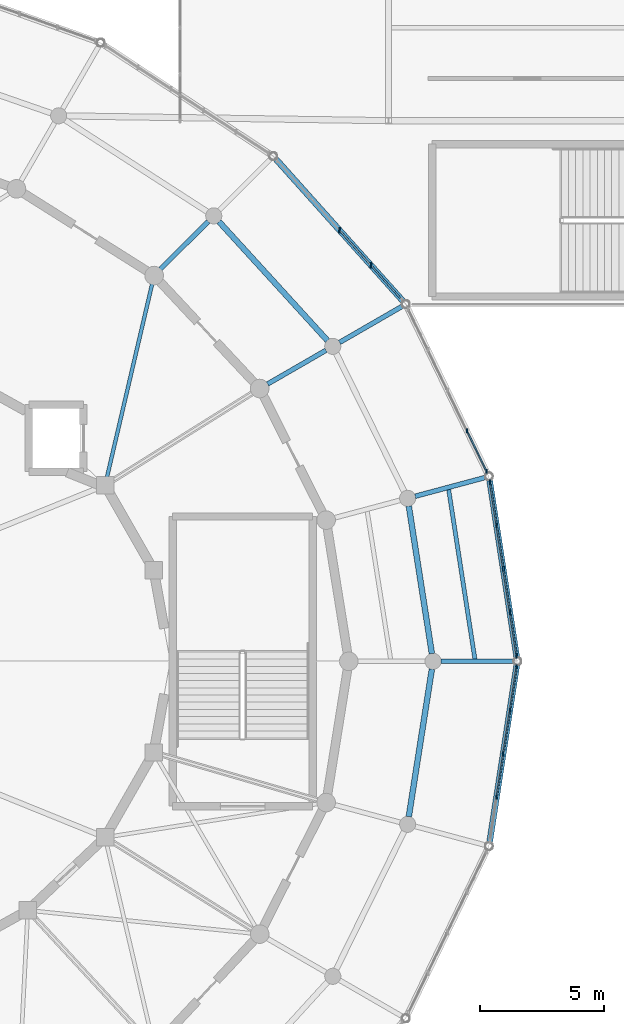
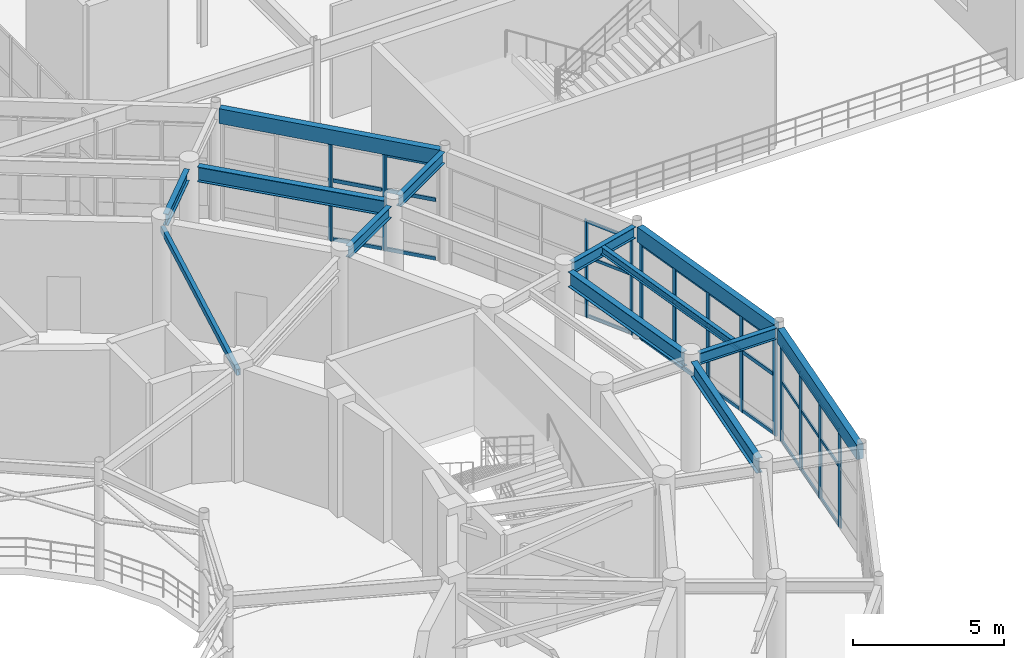
# One storey, part 74 of 144: 43 members, 12 beams, 4 elements without a shape of their own.
"""IFC4 building model written with IfcOpenShell, lengths in metres."""

from ifc_helpers import new_model, si_unit, direction, frame, origin, origin_2d, place, context, subcontext, project, spatial, rectangle, hollow_rectangle, i_section, extrude, material, material_profile, profile_set, type_object, element, aggregate, save


model = new_model("IFC4")

# Units and contexts
model_context = context("Model", 3, precision=1e-05, world=origin(), true_north=direction((0.0, 1.0)))
body_context = subcontext(model_context, "Body", "Model", "MODEL_VIEW")
ifc_project = project(units=[si_unit("LENGTHUNIT", "METRE"), si_unit("AREAUNIT", "SQUARE_METRE"), si_unit("VOLUMEUNIT", "CUBIC_METRE"), si_unit("PLANEANGLEUNIT", "RADIAN"), si_unit("MASSUNIT", "GRAM", prefix="KILO")], contexts=[model_context])

# Site, building, storey
site_placement = place(None, origin())
site = spatial("IfcSite", under=ifc_project, at=site_placement, CompositionType="ELEMENT")
building_placement = place(site_placement, origin())
building = spatial("IfcBuilding", under=site, at=building_placement, Name="Cinderbank Siding Concert Hall", CompositionType="ELEMENT")
storey_placement = place(building_placement, frame((0.0, 0.0, 5.39990234375)))
storey = spatial("IfcBuildingStorey", under=building, at=storey_placement, Name="L02", CompositionType="ELEMENT", Elevation=5.39990234375)

# Beams
ifc_material_1 = material(Name="Structural steel AS/NZS 3679.1 Grade 350 (340 MPa)", Category="steel")
ifc_material_profile_1 = material_profile(ifc_material_1, i_section(OverallWidth=0.19091796875, OverallDepth=0.46044921875, WebThickness=0.010009765625, FlangeThickness=0.01611328125, at=origin_2d()), Name="460UB82.1", Category="LoadBearing")
ifc_profile_set_1 = profile_set([ifc_material_profile_1], Name="Structural steel AS/NZS 3679.1 Grade 350 (340 MPa)")
beam_type_1 = type_object("IfcBeamType", Name="BM-UB460H 460UB82.1", PredefinedType="BEAM", material=ifc_profile_set_1)
beam_1_placement = place(storey_placement, frame((145.52734375, 55.18359375, 4.2919921875), z_axis=(0.866032896488, 0.499987022033, 0.0), x_axis=(-0.499987022033, 0.866032896488, 0.0)))
element("IfcBeam", 1, at=beam_1_placement, inside=storey, type_object=beam_type_1, Name="L02 Beam BM-UB460H #500", PredefinedType="BEAM", context=body_context, shape_type="SweptSolid", body=[
    extrude(i_section(OverallWidth=0.19091796875, OverallDepth=0.46044921875, WebThickness=0.010009765625, FlangeThickness=0.01611328125, at=origin_2d()), origin(), (0.0, 0.0, 1.0), 2.7158203125),
])
beam_2_placement = place(storey_placement, frame((141.2099609375, 59.81591796875, 4.2919921875), z_axis=(0.707151723938, 0.707061835578, 0.0), x_axis=(-0.707061835578, 0.707151723938, 0.0)))
element("IfcBeam", 2, at=beam_2_placement, inside=storey, type_object=beam_type_1, Name="L02 Beam BM-UB460H #501", PredefinedType="BEAM", context=body_context, shape_type="SweptSolid", body=[
    extrude(i_section(OverallWidth=0.19091796875, OverallDepth=0.46044921875, WebThickness=0.010009765625, FlangeThickness=0.01611328125, at=origin_2d()), origin(), (0.0, 0.0, 1.0), 2.716064453125),
])
for number, where, z_axis, x_axis, name in (
    (3, (152.51708984375, 44.0, 4.331787109375), (1.0, 0.0, 0.0), (0.0, 1.0, 0.0), "L02 Beam BM-UB460H #520"),
    (4, (151.477294921875, 50.656005859375, 4.331787109375), (0.965904885504, 0.258897184534, 0.0), (-0.258897184534, 0.965904885504, 0.0), "L02 Beam BM-UB460H #521"),
):
    element("IfcBeam", number, at=place(storey_placement, frame(where, z_axis=z_axis, x_axis=x_axis)), inside=storey, type_object=beam_type_1, Name=name, PredefinedType="BEAM", context=body_context, shape_type="SweptSolid", body=[
        extrude(i_section(OverallWidth=0.19091796875, OverallDepth=0.46044921875, WebThickness=0.010009765625, FlangeThickness=0.01611328125, at=origin_2d()), origin(), (0.0, 0.0, 1.0), 2.928955078125),
    ])
beam_3_placement = place(storey_placement, frame((148.428466796875, 56.8583984375, 4.331787109375), z_axis=(0.866013467834, 0.500020673103, 0.0), x_axis=(-0.500020673103, 0.866013467834, 0.0)))
element("IfcBeam", 5, at=beam_3_placement, inside=storey, type_object=beam_type_1, Name="L02 Beam BM-UB460H #523", PredefinedType="BEAM", context=body_context, shape_type="SweptSolid", body=[
    extrude(i_section(OverallWidth=0.19091796875, OverallDepth=0.46044921875, WebThickness=0.010009765625, FlangeThickness=0.01611328125, at=origin_2d()), origin(), (0.0, 0.0, 1.0), 2.92919921875),
])
ifc_material_profile_2 = material_profile(ifc_material_1, i_section(OverallWidth=0.22802734375, OverallDepth=0.60693359375, WebThickness=0.01123046875, FlangeThickness=0.017333984375, at=origin_2d()), Name="610UB113", Category="LoadBearing")
ifc_profile_set_2 = profile_set([ifc_material_profile_2], Name="Structural steel AS/NZS 3679.1 Grade 350 (340 MPa)")
beam_type_2 = type_object("IfcBeamType", Name="BM-UB610M 610UB113", PredefinedType="BEAM", material=ifc_profile_set_2)
beam_4_placement = place(storey_placement, frame((152.15087890625, 44.313232421875, 4.218505859375), z_axis=(-0.154637914322, 0.987971211855, 0.0), x_axis=(-0.987971211855, -0.154637914322, 0.0)))
element("IfcBeam", 6, at=beam_4_placement, inside=storey, type_object=beam_type_2, Name="L02 Beam BM-UB610M #440", PredefinedType="BEAM", context=body_context, shape_type="SweptSolid", body=[
    extrude(i_section(OverallWidth=0.22802734375, OverallDepth=0.60693359375, WebThickness=0.01123046875, FlangeThickness=0.017333984375, at=origin_2d()), origin(), (0.0, 0.0, 1.0), 6.02001953125),
])
beam_5_placement = place(storey_placement, frame((147.940185546875, 56.93408203125, 4.218505859375), z_axis=(-0.67395874418, 0.73876898361, 0.0), x_axis=(-0.73876898361, -0.67395874418, 0.0)))
element("IfcBeam", 7, at=beam_5_placement, inside=storey, type_object=beam_type_2, Name="L02 Beam BM-UB610M #442", PredefinedType="BEAM", context=body_context, shape_type="SweptSolid", body=[
    extrude(i_section(OverallWidth=0.22802734375, OverallDepth=0.60693359375, WebThickness=0.01123046875, FlangeThickness=0.017333984375, at=origin_2d()), origin(), (0.0, 0.0, 1.0), 6.48681640625),
])
beam_6_placement = place(storey_placement, frame((151.219970703125, 37.7392578125, 4.218505859375), z_axis=(0.154637914322, 0.987971211855, 0.0), x_axis=(-0.987971211855, 0.154637914322, 0.0)))
element("IfcBeam", 8, at=beam_6_placement, inside=storey, type_object=beam_type_2, Name="L02 Beam BM-UB610M #463", PredefinedType="BEAM", context=body_context, shape_type="SweptSolid", body=[
    extrude(i_section(OverallWidth=0.22802734375, OverallDepth=0.60693359375, WebThickness=0.01123046875, FlangeThickness=0.017333984375, at=origin_2d()), origin(), (0.0, 0.0, 1.0), 6.02001953125),
])

# Curtain wall, members
ifc_material_2 = material(Name="Anodised aluminium alloy 6063-T6", Category="aluminium")
curtain_wall_type_1 = type_object("IfcCurtainWallType", Name="CW-02 Unitised Acoustic Curtain Wall 7800x4400", PredefinedType="NOTDEFINED", material=ifc_material_2)
curtain_wall_1_placement = place(storey_placement, origin())
curtain_wall_1 = element("IfcCurtainWall", 9, at=curtain_wall_1_placement, inside=storey, type_object=curtain_wall_type_1, Name="L02 Curtain Wall CW-02 #2", PredefinedType="NOTDEFINED")
ifc_material_profile_3 = material_profile(ifc_material_2, rectangle(XDim=0.06005859375, YDim=0.159912109375, at=origin_2d()), Name="ALU-MULL-60x160", Category="LoadBearing")
ifc_profile_set_3 = profile_set([ifc_material_profile_3], Name="Anodised aluminium alloy 6063-T6")
member_type_1 = type_object("IfcMemberType", Name="CW-ML1 Mullion 60x160", PredefinedType="MULLION", material=ifc_profile_set_3)
member_1_placement = place(storey_placement, frame((154.3564453125, 51.658203125, 0.0), z_axis=(0.0, 0.0, 1.0), x_axis=(1.0, 0.0, 0.0)))
member_1 = element("IfcMember", 10, at=member_1_placement, type_object=member_type_1, Name="CW-L02-002 Mullion 0", PredefinedType="MULLION", context=body_context, shape_type="SweptSolid", body=[
    extrude(rectangle(XDim=0.06005859375, YDim=0.159912109375, at=origin_2d()), origin(), (0.0, 0.0, 1.0), 3.93701171875),
])
member_2_placement = place(storey_placement, frame((153.566650390625, 53.292724609375, 0.0), z_axis=(0.0, 0.0, 1.0), x_axis=(1.0, 0.0, 0.0)))
member_2 = element("IfcMember", 11, at=member_2_placement, type_object=member_type_1, Name="CW-L02-002 Mullion 1", PredefinedType="MULLION", context=body_context, shape_type="SweptSolid", body=[
    extrude(rectangle(XDim=0.06005859375, YDim=0.159912109375, at=origin_2d()), origin(), (0.0, 0.0, 1.0), 3.93701171875),
])

curtain_wall_type_2 = type_object("IfcCurtainWallType", Name="CW-12 Unitised Acoustic Curtain Wall 5800x3500", PredefinedType="NOTDEFINED", material=ifc_material_2)
curtain_wall_2_placement = place(storey_placement, origin())
curtain_wall_2 = element("IfcCurtainWall", 12, at=curtain_wall_2_placement, inside=storey, type_object=curtain_wall_type_2, Name="L02 Curtain Wall CW-12 #24", PredefinedType="NOTDEFINED")
member_3_placement = place(storey_placement, frame((154.758544921875, 38.521728515625, 0.0), z_axis=(0.0, 0.0, 1.0), x_axis=(1.0, 0.0, 0.0)))
member_3 = element("IfcMember", 13, at=member_3_placement, type_object=member_type_1, Name="CW-L02-024 Mullion 1", PredefinedType="MULLION", context=body_context, shape_type="SweptSolid", body=[
    extrude(rectangle(XDim=0.06005859375, YDim=0.159912109375, at=origin_2d()), origin(), (0.0, 0.0, 1.0), 3.947021484375),
])
member_4_placement = place(storey_placement, frame((155.027587890625, 40.27294921875, 0.0), z_axis=(0.0, 0.0, 1.0), x_axis=(1.0, 0.0, 0.0)))
member_4 = element("IfcMember", 14, at=member_4_placement, type_object=member_type_1, Name="CW-L02-024 Mullion 2", PredefinedType="MULLION", context=body_context, shape_type="SweptSolid", body=[
    extrude(rectangle(XDim=0.06005859375, YDim=0.159912109375, at=origin_2d()), origin(), (0.0, 0.0, 1.0), 3.947021484375),
])
member_5_placement = place(storey_placement, frame((155.29638671875, 42.0244140625, 0.0), z_axis=(0.0, 0.0, 1.0), x_axis=(1.0, 0.0, 0.0)))
member_5 = element("IfcMember", 15, at=member_5_placement, type_object=member_type_1, Name="CW-L02-024 Mullion 3", PredefinedType="MULLION", context=body_context, shape_type="SweptSolid", body=[
    extrude(rectangle(XDim=0.06005859375, YDim=0.159912109375, at=origin_2d()), origin(), (0.0, 0.0, 1.0), 3.947021484375),
])
member_6_placement = place(storey_placement, frame((155.5654296875, 43.775634765625, 0.0), z_axis=(0.0, 0.0, 1.0), x_axis=(1.0, 0.0, 0.0)))
member_6 = element("IfcMember", 16, at=member_6_placement, type_object=member_type_1, Name="CW-L02-024 Mullion 4", PredefinedType="MULLION", context=body_context, shape_type="SweptSolid", body=[
    extrude(rectangle(XDim=0.06005859375, YDim=0.159912109375, at=origin_2d()), origin(), (0.0, 0.0, 1.0), 3.947021484375),
])

curtain_wall_type_3 = type_object("IfcCurtainWallType", Name="CW-01 Unitised Acoustic Curtain Wall 8200x4400", PredefinedType="NOTDEFINED", material=ifc_material_2)
curtain_wall_3_placement = place(storey_placement, origin())
curtain_wall_3 = element("IfcCurtainWall", 17, at=curtain_wall_3_placement, inside=storey, type_object=curtain_wall_type_3, Name="L02 Curtain Wall CW-01 #1", PredefinedType="NOTDEFINED")
ifc_material_profile_4 = material_profile(ifc_material_2, rectangle(XDim=0.06494140625, YDim=0.199951171875, at=origin_2d()), Name="ALU-MULL-65x200", Category="LoadBearing")
ifc_profile_set_4 = profile_set([ifc_material_profile_4], Name="Anodised aluminium alloy 6063-T6")
member_type_2 = type_object("IfcMemberType", Name="CW-ML2 Mullion 65x200", PredefinedType="MULLION", material=ifc_profile_set_4)
member_7_placement = place(storey_placement, frame((155.5654296875, 44.224365234375, 0.0), z_axis=(0.0, 0.0, 1.0), x_axis=(1.0, 0.0, 0.0)))
member_7 = element("IfcMember", 18, at=member_7_placement, type_object=member_type_2, Name="CW-L02-001 Mullion 0", PredefinedType="MULLION", context=body_context, shape_type="SweptSolid", body=[
    extrude(rectangle(XDim=0.06494140625, YDim=0.199951171875, at=origin_2d()), origin(), (0.0, 0.0, 1.0), 3.93701171875),
])
member_8_placement = place(storey_placement, frame((155.29638671875, 45.9755859375, 0.0), z_axis=(0.0, 0.0, 1.0), x_axis=(1.0, 0.0, 0.0)))
member_8 = element("IfcMember", 19, at=member_8_placement, type_object=member_type_2, Name="CW-L02-001 Mullion 1", PredefinedType="MULLION", context=body_context, shape_type="SweptSolid", body=[
    extrude(rectangle(XDim=0.06494140625, YDim=0.199951171875, at=origin_2d()), origin(), (0.0, 0.0, 1.0), 3.93701171875),
])
member_9_placement = place(storey_placement, frame((155.027587890625, 47.72705078125, 0.0), z_axis=(0.0, 0.0, 1.0), x_axis=(1.0, 0.0, 0.0)))
member_9 = element("IfcMember", 20, at=member_9_placement, type_object=member_type_2, Name="CW-L02-001 Mullion 2", PredefinedType="MULLION", context=body_context, shape_type="SweptSolid", body=[
    extrude(rectangle(XDim=0.06494140625, YDim=0.199951171875, at=origin_2d()), origin(), (0.0, 0.0, 1.0), 3.93701171875),
])
member_10_placement = place(storey_placement, frame((154.758544921875, 49.478271484375, 0.0), z_axis=(0.0, 0.0, 1.0), x_axis=(1.0, 0.0, 0.0)))
member_10 = element("IfcMember", 21, at=member_10_placement, type_object=member_type_2, Name="CW-L02-001 Mullion 3", PredefinedType="MULLION", context=body_context, shape_type="SweptSolid", body=[
    extrude(rectangle(XDim=0.06494140625, YDim=0.199951171875, at=origin_2d()), origin(), (0.0, 0.0, 1.0), 3.93701171875),
])
member_11_placement = place(storey_placement, frame((154.489501953125, 51.229736328125, 0.0), z_axis=(0.0, 0.0, 1.0), x_axis=(1.0, 0.0, 0.0)))
member_11 = element("IfcMember", 22, at=member_11_placement, type_object=member_type_2, Name="CW-L02-001 Mullion 4", PredefinedType="MULLION", context=body_context, shape_type="SweptSolid", body=[
    extrude(rectangle(XDim=0.06494140625, YDim=0.199951171875, at=origin_2d()), origin(), (0.0, 0.0, 1.0), 3.93701171875),
])

curtain_wall_type_4 = type_object("IfcCurtainWallType", Name="CW-03 Unitised Acoustic Curtain Wall 7400x4400", PredefinedType="NOTDEFINED", material=ifc_material_2)
curtain_wall_4_placement = place(storey_placement, origin())
curtain_wall_4 = element("IfcCurtainWall", 23, at=curtain_wall_4_placement, inside=storey, type_object=curtain_wall_type_4, Name="L02 Curtain Wall CW-03 #3", PredefinedType="NOTDEFINED")
member_12_placement = place(storey_placement, frame((149.68798828125, 59.9755859375, 0.0), z_axis=(0.0, 0.0, 1.0), x_axis=(1.0, 0.0, 0.0)))
member_12 = element("IfcMember", 24, at=member_12_placement, type_object=member_type_2, Name="CW-L02-003 Mullion 1", PredefinedType="MULLION", context=body_context, shape_type="SweptSolid", body=[
    extrude(rectangle(XDim=0.06494140625, YDim=0.199951171875, at=origin_2d()), origin(), (0.0, 0.0, 1.0), 3.93701171875),
])
member_13_placement = place(storey_placement, frame((148.4287109375, 61.38232421875, 0.0), z_axis=(0.0, 0.0, 1.0), x_axis=(1.0, 0.0, 0.0)))
member_13 = element("IfcMember", 25, at=member_13_placement, type_object=member_type_2, Name="CW-L02-003 Mullion 2", PredefinedType="MULLION", context=body_context, shape_type="SweptSolid", body=[
    extrude(rectangle(XDim=0.06494140625, YDim=0.199951171875, at=origin_2d()), origin(), (0.0, 0.0, 1.0), 3.93701171875),
])

# Member
ifc_material_profile_5 = material_profile(ifc_material_2, rectangle(XDim=0.06005859375, YDim=0.1201171875, at=origin_2d()), Name="ALU-TRAN-60x120", Category="LoadBearing")
ifc_profile_set_5 = profile_set([ifc_material_profile_5], Name="Anodised aluminium alloy 6063-T6")
member_type_3 = type_object("IfcMemberType", Name="CW-TR1 Transom 60x120", PredefinedType="USERDEFINED", material=ifc_profile_set_5)
member_14_placement = place(storey_placement, frame((154.31689453125, 51.739990234375, 0.06005859375), z_axis=(-0.435037415308, 0.900412376238, 0.0), x_axis=(-0.900412376238, -0.435037415308, 0.0)))
member_14 = element("IfcMember", 26, at=member_14_placement, type_object=member_type_3, Name="CW-L02-002 Transom 0-0", ObjectType="TRANSOM", PredefinedType="USERDEFINED", context=body_context, shape_type="SweptSolid", body=[
    extrude(rectangle(XDim=0.06005859375, YDim=0.1201171875, at=origin_2d()), origin(), (0.0, 0.0, 1.0), 1.633544921875),
])

member_15_placement = place(storey_placement, frame((154.31689453125, 51.739990234375, 2.44091796875), z_axis=(-0.435037415308, 0.900412376238, 0.0), x_axis=(-0.900412376238, -0.435037415308, 0.0)))
member_15 = element("IfcMember", 27, at=member_15_placement, type_object=member_type_3, Name="CW-L02-002 Transom 0-1", ObjectType="TRANSOM", PredefinedType="USERDEFINED", context=body_context, shape_type="SweptSolid", body=[
    extrude(rectangle(XDim=0.06005859375, YDim=0.1201171875, at=origin_2d()), origin(), (0.0, 0.0, 1.0), 1.633544921875),
])

member_16_placement = place(storey_placement, frame((154.31689453125, 51.739990234375, 3.877197265625), z_axis=(-0.435037415308, 0.900412376238, 0.0), x_axis=(-0.900412376238, -0.435037415308, 0.0)))
member_16 = element("IfcMember", 28, at=member_16_placement, type_object=member_type_3, Name="CW-L02-002 Transom 0-2", ObjectType="TRANSOM", PredefinedType="USERDEFINED", context=body_context, shape_type="SweptSolid", body=[
    extrude(rectangle(XDim=0.06005859375, YDim=0.1201171875, at=origin_2d()), origin(), (0.0, 0.0, 1.0), 1.633544921875),
])

aggregate(curtain_wall_1, [member_1, member_2, member_14, member_15, member_16])

member_17_placement = place(storey_placement, frame((154.77197265625, 38.609130859375, 0.06005859375), z_axis=(0.151873110161, 0.988399999196, 0.0), x_axis=(-0.988399999196, 0.151873110161, 0.0)))
member_17 = element("IfcMember", 29, at=member_17_placement, type_object=member_type_3, Name="CW-L02-024 Transom 1-0", ObjectType="TRANSOM", PredefinedType="USERDEFINED", context=body_context, shape_type="SweptSolid", body=[
    extrude(rectangle(XDim=0.06005859375, YDim=0.1201171875, at=origin_2d()), origin(), (0.0, 0.0, 1.0), 1.5947265625),
])

member_18_placement = place(storey_placement, frame((154.77197265625, 38.609130859375, 2.447265625), z_axis=(0.151873110161, 0.988399999196, 0.0), x_axis=(-0.988399999196, 0.151873110161, 0.0)))
member_18 = element("IfcMember", 30, at=member_18_placement, type_object=member_type_3, Name="CW-L02-024 Transom 1-1", ObjectType="TRANSOM", PredefinedType="USERDEFINED", context=body_context, shape_type="SweptSolid", body=[
    extrude(rectangle(XDim=0.06005859375, YDim=0.1201171875, at=origin_2d()), origin(), (0.0, 0.0, 1.0), 1.5947265625),
])

member_19_placement = place(storey_placement, frame((154.77197265625, 38.609130859375, 3.88720703125), z_axis=(0.151873110161, 0.988399999196, 0.0), x_axis=(-0.988399999196, 0.151873110161, 0.0)))
member_19 = element("IfcMember", 31, at=member_19_placement, type_object=member_type_3, Name="CW-L02-024 Transom 1-2", ObjectType="TRANSOM", PredefinedType="USERDEFINED", context=body_context, shape_type="SweptSolid", body=[
    extrude(rectangle(XDim=0.06005859375, YDim=0.1201171875, at=origin_2d()), origin(), (0.0, 0.0, 1.0), 1.5947265625),
])

member_20_placement = place(storey_placement, frame((155.041015625, 40.360595703125, 0.06005859375), z_axis=(0.151873110161, 0.988399999196, 0.0), x_axis=(-0.988399999196, 0.151873110161, 0.0)))
member_20 = element("IfcMember", 32, at=member_20_placement, type_object=member_type_3, Name="CW-L02-024 Transom 2-0", ObjectType="TRANSOM", PredefinedType="USERDEFINED", context=body_context, shape_type="SweptSolid", body=[
    extrude(rectangle(XDim=0.06005859375, YDim=0.1201171875, at=origin_2d()), origin(), (0.0, 0.0, 1.0), 1.5947265625),
])

member_21_placement = place(storey_placement, frame((155.041015625, 40.360595703125, 2.447265625), z_axis=(0.151873110161, 0.988399999196, 0.0), x_axis=(-0.988399999196, 0.151873110161, 0.0)))
member_21 = element("IfcMember", 33, at=member_21_placement, type_object=member_type_3, Name="CW-L02-024 Transom 2-1", ObjectType="TRANSOM", PredefinedType="USERDEFINED", context=body_context, shape_type="SweptSolid", body=[
    extrude(rectangle(XDim=0.06005859375, YDim=0.1201171875, at=origin_2d()), origin(), (0.0, 0.0, 1.0), 1.5947265625),
])

member_22_placement = place(storey_placement, frame((155.041015625, 40.360595703125, 3.88720703125), z_axis=(0.151873110161, 0.988399999196, 0.0), x_axis=(-0.988399999196, 0.151873110161, 0.0)))
member_22 = element("IfcMember", 34, at=member_22_placement, type_object=member_type_3, Name="CW-L02-024 Transom 2-2", ObjectType="TRANSOM", PredefinedType="USERDEFINED", context=body_context, shape_type="SweptSolid", body=[
    extrude(rectangle(XDim=0.06005859375, YDim=0.1201171875, at=origin_2d()), origin(), (0.0, 0.0, 1.0), 1.5947265625),
])

member_23_placement = place(storey_placement, frame((155.31005859375, 42.11181640625, 0.06005859375), z_axis=(0.151723538324, 0.988422970149, 0.0), x_axis=(-0.988422970149, 0.151723538324, 0.0)))
member_23 = element("IfcMember", 35, at=member_23_placement, type_object=member_type_3, Name="CW-L02-024 Transom 3-0", ObjectType="TRANSOM", PredefinedType="USERDEFINED", context=body_context, shape_type="SweptSolid", body=[
    extrude(rectangle(XDim=0.06005859375, YDim=0.1201171875, at=origin_2d()), origin(), (0.0, 0.0, 1.0), 1.5947265625),
])

member_24_placement = place(storey_placement, frame((155.31005859375, 42.11181640625, 2.447265625), z_axis=(0.151723538324, 0.988422970149, 0.0), x_axis=(-0.988422970149, 0.151723538324, 0.0)))
member_24 = element("IfcMember", 36, at=member_24_placement, type_object=member_type_3, Name="CW-L02-024 Transom 3-1", ObjectType="TRANSOM", PredefinedType="USERDEFINED", context=body_context, shape_type="SweptSolid", body=[
    extrude(rectangle(XDim=0.06005859375, YDim=0.1201171875, at=origin_2d()), origin(), (0.0, 0.0, 1.0), 1.5947265625),
])

member_25_placement = place(storey_placement, frame((155.31005859375, 42.11181640625, 3.88720703125), z_axis=(0.151723538324, 0.988422970149, 0.0), x_axis=(-0.988422970149, 0.151723538324, 0.0)))
member_25 = element("IfcMember", 37, at=member_25_placement, type_object=member_type_3, Name="CW-L02-024 Transom 3-2", ObjectType="TRANSOM", PredefinedType="USERDEFINED", context=body_context, shape_type="SweptSolid", body=[
    extrude(rectangle(XDim=0.06005859375, YDim=0.1201171875, at=origin_2d()), origin(), (0.0, 0.0, 1.0), 1.5947265625),
])

aggregate(curtain_wall_2, [member_3, member_4, member_5, member_6, member_17, member_18, member_19, member_20, member_21, member_22, member_23, member_24, member_25])

ifc_material_profile_6 = material_profile(ifc_material_2, rectangle(XDim=0.06494140625, YDim=0.14990234375, at=origin_2d()), Name="ALU-TRAN-65x150", Category="LoadBearing")
ifc_profile_set_6 = profile_set([ifc_material_profile_6], Name="Anodised aluminium alloy 6063-T6")
member_type_4 = type_object("IfcMemberType", Name="CW-TR2 Transom 65x150", PredefinedType="USERDEFINED", material=ifc_profile_set_6)
member_26_placement = place(storey_placement, frame((155.552001953125, 44.31201171875, 0.06005859375), z_axis=(-0.151723538324, 0.988422970149, 0.0), x_axis=(-0.988422970149, -0.151723538324, 0.0)))
member_26 = element("IfcMember", 38, at=member_26_placement, type_object=member_type_4, Name="CW-L02-001 Transom 0-0", ObjectType="TRANSOM", PredefinedType="USERDEFINED", context=body_context, shape_type="SweptSolid", body=[
    extrude(rectangle(XDim=0.06494140625, YDim=0.14990234375, at=origin_2d()), origin(), (0.0, 0.0, 1.0), 1.5947265625),
])

member_27_placement = place(storey_placement, frame((155.552001953125, 44.31201171875, 2.44091796875), z_axis=(-0.151723538324, 0.988422970149, 0.0), x_axis=(-0.988422970149, -0.151723538324, 0.0)))
member_27 = element("IfcMember", 39, at=member_27_placement, type_object=member_type_4, Name="CW-L02-001 Transom 0-1", ObjectType="TRANSOM", PredefinedType="USERDEFINED", context=body_context, shape_type="SweptSolid", body=[
    extrude(rectangle(XDim=0.06494140625, YDim=0.14990234375, at=origin_2d()), origin(), (0.0, 0.0, 1.0), 1.5947265625),
])

member_28_placement = place(storey_placement, frame((155.552001953125, 44.31201171875, 3.877197265625), z_axis=(-0.151723538324, 0.988422970149, 0.0), x_axis=(-0.988422970149, -0.151723538324, 0.0)))
member_28 = element("IfcMember", 40, at=member_28_placement, type_object=member_type_4, Name="CW-L02-001 Transom 0-2", ObjectType="TRANSOM", PredefinedType="USERDEFINED", context=body_context, shape_type="SweptSolid", body=[
    extrude(rectangle(XDim=0.06494140625, YDim=0.14990234375, at=origin_2d()), origin(), (0.0, 0.0, 1.0), 1.5947265625),
])

member_29_placement = place(storey_placement, frame((155.283203125, 46.063232421875, 0.06005859375), z_axis=(-0.151873110161, 0.988399999196, 0.0), x_axis=(-0.988399999196, -0.151873110161, 0.0)))
member_29 = element("IfcMember", 41, at=member_29_placement, type_object=member_type_4, Name="CW-L02-001 Transom 1-0", ObjectType="TRANSOM", PredefinedType="USERDEFINED", context=body_context, shape_type="SweptSolid", body=[
    extrude(rectangle(XDim=0.06494140625, YDim=0.14990234375, at=origin_2d()), origin(), (0.0, 0.0, 1.0), 1.5947265625),
])

member_30_placement = place(storey_placement, frame((155.283203125, 46.063232421875, 2.44091796875), z_axis=(-0.151873110161, 0.988399999196, 0.0), x_axis=(-0.988399999196, -0.151873110161, 0.0)))
member_30 = element("IfcMember", 42, at=member_30_placement, type_object=member_type_4, Name="CW-L02-001 Transom 1-1", ObjectType="TRANSOM", PredefinedType="USERDEFINED", context=body_context, shape_type="SweptSolid", body=[
    extrude(rectangle(XDim=0.06494140625, YDim=0.14990234375, at=origin_2d()), origin(), (0.0, 0.0, 1.0), 1.5947265625),
])

member_31_placement = place(storey_placement, frame((155.283203125, 46.063232421875, 3.877197265625), z_axis=(-0.151873110161, 0.988399999196, 0.0), x_axis=(-0.988399999196, -0.151873110161, 0.0)))
member_31 = element("IfcMember", 43, at=member_31_placement, type_object=member_type_4, Name="CW-L02-001 Transom 1-2", ObjectType="TRANSOM", PredefinedType="USERDEFINED", context=body_context, shape_type="SweptSolid", body=[
    extrude(rectangle(XDim=0.06494140625, YDim=0.14990234375, at=origin_2d()), origin(), (0.0, 0.0, 1.0), 1.5947265625),
])

member_32_placement = place(storey_placement, frame((155.01416015625, 47.814697265625, 0.06005859375), z_axis=(-0.151873110161, 0.988399999196, 0.0), x_axis=(-0.988399999196, -0.151873110161, 0.0)))
member_32 = element("IfcMember", 44, at=member_32_placement, type_object=member_type_4, Name="CW-L02-001 Transom 2-0", ObjectType="TRANSOM", PredefinedType="USERDEFINED", context=body_context, shape_type="SweptSolid", body=[
    extrude(rectangle(XDim=0.06494140625, YDim=0.14990234375, at=origin_2d()), origin(), (0.0, 0.0, 1.0), 1.5947265625),
])

member_33_placement = place(storey_placement, frame((155.01416015625, 47.814697265625, 2.44091796875), z_axis=(-0.151873110161, 0.988399999196, 0.0), x_axis=(-0.988399999196, -0.151873110161, 0.0)))
member_33 = element("IfcMember", 45, at=member_33_placement, type_object=member_type_4, Name="CW-L02-001 Transom 2-1", ObjectType="TRANSOM", PredefinedType="USERDEFINED", context=body_context, shape_type="SweptSolid", body=[
    extrude(rectangle(XDim=0.06494140625, YDim=0.14990234375, at=origin_2d()), origin(), (0.0, 0.0, 1.0), 1.5947265625),
])

member_34_placement = place(storey_placement, frame((155.01416015625, 47.814697265625, 3.877197265625), z_axis=(-0.151873110161, 0.988399999196, 0.0), x_axis=(-0.988399999196, -0.151873110161, 0.0)))
member_34 = element("IfcMember", 46, at=member_34_placement, type_object=member_type_4, Name="CW-L02-001 Transom 2-2", ObjectType="TRANSOM", PredefinedType="USERDEFINED", context=body_context, shape_type="SweptSolid", body=[
    extrude(rectangle(XDim=0.06494140625, YDim=0.14990234375, at=origin_2d()), origin(), (0.0, 0.0, 1.0), 1.5947265625),
])

member_35_placement = place(storey_placement, frame((154.7451171875, 49.56591796875, 0.06005859375), z_axis=(-0.151873110161, 0.988399999196, 0.0), x_axis=(-0.988399999196, -0.151873110161, 0.0)))
member_35 = element("IfcMember", 47, at=member_35_placement, type_object=member_type_4, Name="CW-L02-001 Transom 3-0", ObjectType="TRANSOM", PredefinedType="USERDEFINED", context=body_context, shape_type="SweptSolid", body=[
    extrude(rectangle(XDim=0.06494140625, YDim=0.14990234375, at=origin_2d()), origin(), (0.0, 0.0, 1.0), 1.5947265625),
])

member_36_placement = place(storey_placement, frame((154.7451171875, 49.56591796875, 2.44091796875), z_axis=(-0.151873110161, 0.988399999196, 0.0), x_axis=(-0.988399999196, -0.151873110161, 0.0)))
member_36 = element("IfcMember", 48, at=member_36_placement, type_object=member_type_4, Name="CW-L02-001 Transom 3-1", ObjectType="TRANSOM", PredefinedType="USERDEFINED", context=body_context, shape_type="SweptSolid", body=[
    extrude(rectangle(XDim=0.06494140625, YDim=0.14990234375, at=origin_2d()), origin(), (0.0, 0.0, 1.0), 1.5947265625),
])

member_37_placement = place(storey_placement, frame((154.7451171875, 49.56591796875, 3.877197265625), z_axis=(-0.151873110161, 0.988399999196, 0.0), x_axis=(-0.988399999196, -0.151873110161, 0.0)))
member_37 = element("IfcMember", 49, at=member_37_placement, type_object=member_type_4, Name="CW-L02-001 Transom 3-2", ObjectType="TRANSOM", PredefinedType="USERDEFINED", context=body_context, shape_type="SweptSolid", body=[
    extrude(rectangle(XDim=0.06494140625, YDim=0.14990234375, at=origin_2d()), origin(), (0.0, 0.0, 1.0), 1.5947265625),
])

aggregate(curtain_wall_3, [member_7, member_8, member_9, member_10, member_11, member_26, member_27, member_28, member_29, member_30, member_31, member_32, member_33, member_34, member_35, member_36, member_37])

member_38_placement = place(storey_placement, frame((150.88427734375, 58.639404296875, 0.06005859375), z_axis=(-0.667025792822, 0.745034624504, 0.0), x_axis=(-0.745034624504, -0.667025792822, 0.0)))
member_38 = element("IfcMember", 50, at=member_38_placement, type_object=member_type_4, Name="CW-L02-003 Transom 0-0", ObjectType="TRANSOM", PredefinedType="USERDEFINED", context=body_context, shape_type="SweptSolid", body=[
    extrude(rectangle(XDim=0.06494140625, YDim=0.14990234375, at=origin_2d()), origin(), (0.0, 0.0, 1.0), 1.699462890625),
])

member_39_placement = place(storey_placement, frame((150.88427734375, 58.639404296875, 2.44091796875), z_axis=(-0.667025792822, 0.745034624504, 0.0), x_axis=(-0.745034624504, -0.667025792822, 0.0)))
member_39 = element("IfcMember", 51, at=member_39_placement, type_object=member_type_4, Name="CW-L02-003 Transom 0-1", ObjectType="TRANSOM", PredefinedType="USERDEFINED", context=body_context, shape_type="SweptSolid", body=[
    extrude(rectangle(XDim=0.06494140625, YDim=0.14990234375, at=origin_2d()), origin(), (0.0, 0.0, 1.0), 1.699462890625),
])

member_40_placement = place(storey_placement, frame((150.88427734375, 58.639404296875, 3.877197265625), z_axis=(-0.667025792822, 0.745034624504, 0.0), x_axis=(-0.745034624504, -0.667025792822, 0.0)))
member_40 = element("IfcMember", 52, at=member_40_placement, type_object=member_type_4, Name="CW-L02-003 Transom 0-2", ObjectType="TRANSOM", PredefinedType="USERDEFINED", context=body_context, shape_type="SweptSolid", body=[
    extrude(rectangle(XDim=0.06494140625, YDim=0.14990234375, at=origin_2d()), origin(), (0.0, 0.0, 1.0), 1.699462890625),
])

member_41_placement = place(storey_placement, frame((149.625, 60.046142578125, 0.06005859375), z_axis=(-0.667017441515, 0.745042101304, 0.0), x_axis=(-0.745042101304, -0.667017441515, 0.0)))
member_41 = element("IfcMember", 53, at=member_41_placement, type_object=member_type_4, Name="CW-L02-003 Transom 1-0", ObjectType="TRANSOM", PredefinedType="USERDEFINED", context=body_context, shape_type="SweptSolid", body=[
    extrude(rectangle(XDim=0.06494140625, YDim=0.14990234375, at=origin_2d()), origin(), (0.0, 0.0, 1.0), 1.698974609375),
])

member_42_placement = place(storey_placement, frame((149.625, 60.046142578125, 2.44091796875), z_axis=(-0.667017441515, 0.745042101304, 0.0), x_axis=(-0.745042101304, -0.667017441515, 0.0)))
member_42 = element("IfcMember", 54, at=member_42_placement, type_object=member_type_4, Name="CW-L02-003 Transom 1-1", ObjectType="TRANSOM", PredefinedType="USERDEFINED", context=body_context, shape_type="SweptSolid", body=[
    extrude(rectangle(XDim=0.06494140625, YDim=0.14990234375, at=origin_2d()), origin(), (0.0, 0.0, 1.0), 1.698974609375),
])

aggregate(curtain_wall_4, [member_12, member_13, member_38, member_39, member_40, member_41, member_42])

# Beams
ifc_material_profile_7 = material_profile(ifc_material_1, i_section(OverallWidth=0.166015625, OverallDepth=0.30712890625, WebThickness=0.006591796875, FlangeThickness=0.01171875, at=origin_2d()), Name="310UB46.2", Category="LoadBearing")
ifc_profile_set_7 = profile_set([ifc_material_profile_7], Name="Structural steel AS/NZS 3679.1 Grade 350 (340 MPa)")
beam_type_3 = type_object("IfcBeamType", Name="JS-UB310H 310UB46.2", PredefinedType="JOIST", material=ifc_profile_set_7)
beam_7_placement = place(storey_placement, frame((153.88623046875, 44.08837890625, 4.408447265625), z_axis=(-0.153109789384, 0.988209184533, 0.0), x_axis=(-0.988209184533, -0.153109789384, 0.0)))
element("IfcBeam", 55, at=beam_7_placement, inside=storey, type_object=beam_type_3, Name="L02 Beam JS-UB310H #522", PredefinedType="JOIST", context=body_context, shape_type="SweptSolid", body=[
    extrude(i_section(OverallWidth=0.166015625, OverallDepth=0.30712890625, WebThickness=0.006591796875, FlangeThickness=0.01171875, at=origin_2d()), origin(), (0.0, 0.0, 1.0), 6.918701171875),
])
ifc_material_3 = material(Name="Spotted gum glulam timber GL18 (42 MPa)", Category="wood")
ifc_material_profile_8 = material_profile(ifc_material_3, rectangle(XDim=0.239990234375, YDim=0.60009765625, at=origin_2d()), Name="GL18-240x600", Category="LoadBearing")
ifc_profile_set_8 = profile_set([ifc_material_profile_8], Name="Spotted gum glulam timber GL18 (42 MPa)")
beam_type_4 = type_object("IfcBeamType", Name="SP-GL600 GL18-240x600", PredefinedType="SPANDREL", material=ifc_profile_set_8)
beam_8_placement = place(storey_placement, frame((155.57666015625, 44.152099609375, 4.26220703125), z_axis=(-0.151813701486, 0.988409125839, 0.0), x_axis=(-0.988409125839, -0.151813701486, 0.0)))
element("IfcBeam", 56, at=beam_8_placement, inside=storey, type_object=beam_type_4, Name="L02 Beam SP-GL600 #464", PredefinedType="SPANDREL", context=body_context, shape_type="SweptSolid", body=[
    extrude(rectangle(XDim=0.239990234375, YDim=0.60009765625, at=origin_2d()), origin(), (0.0, 0.0, 1.0), 7.2333984375),
])
beam_9_placement = place(storey_placement, frame((150.995849609375, 58.5146484375, 4.252197265625), z_axis=(-0.666985816213, 0.745070413432, 0.0), x_axis=(-0.745070413432, -0.666985816213, 0.0)))
element("IfcBeam", 57, at=beam_9_placement, inside=storey, type_object=beam_type_4, Name="L02 Beam SP-GL600 #466", PredefinedType="SPANDREL", context=body_context, shape_type="SweptSolid", body=[
    extrude(rectangle(XDim=0.239990234375, YDim=0.60009765625, at=origin_2d()), origin(), (0.0, 0.0, 1.0), 7.69775390625),
])
beam_10_placement = place(storey_placement, frame((154.478515625, 36.6982421875, 4.26220703125), z_axis=(0.151813701486, 0.988409125839, 0.0), x_axis=(-0.988409125839, 0.151813701486, 0.0)))
element("IfcBeam", 58, at=beam_10_placement, inside=storey, type_object=beam_type_4, Name="L02 Beam SP-GL600 #485", PredefinedType="SPANDREL", context=body_context, shape_type="SweptSolid", body=[
    extrude(rectangle(XDim=0.239990234375, YDim=0.60009765625, at=origin_2d()), origin(), (0.0, 0.0, 1.0), 7.2333984375),
])

# Member
ifc_material_4 = material(Name="Structural steel hollow section AS/NZS 1163 Grade C350L0 (350 MPa)", Category="steel")
ifc_material_profile_9 = material_profile(ifc_material_4, hollow_rectangle(XDim=0.14990234375, YDim=0.25, WallThickness=0.009033203125, at=origin_2d()), Name="250x150x9.0RHS", Category="LoadBearing")
ifc_profile_set_9 = profile_set([ifc_material_profile_9], Name="Structural steel hollow section AS/NZS 1163 Grade C350L0 (350 MPa)")
member_type_5 = type_object("IfcMemberType", Name="TR-RHS250 250x150x9.0RHS Roof Truss", PredefinedType="RAFTER", material=ifc_profile_set_9)
member_43_placement = place(storey_placement, frame((138.97412109375, 51.10009765625, 4.18017578125), z_axis=(0.227577092084, 0.973760066525, 0.0), x_axis=(-0.973760066525, 0.227577092084, 0.0)))
element("IfcMember", 59, at=member_43_placement, inside=storey, type_object=member_type_5, Name="L02 Roof Truss Member TR-RHS250 #2210", PredefinedType="RAFTER", context=body_context, shape_type="SweptSolid", body=[
    extrude(hollow_rectangle(XDim=0.14990234375, YDim=0.25, WallThickness=0.009033203125, at=origin_2d()), origin(), (0.0, 0.0, 1.0), 8.68408203125),
])

save(model, "model.ifc")
